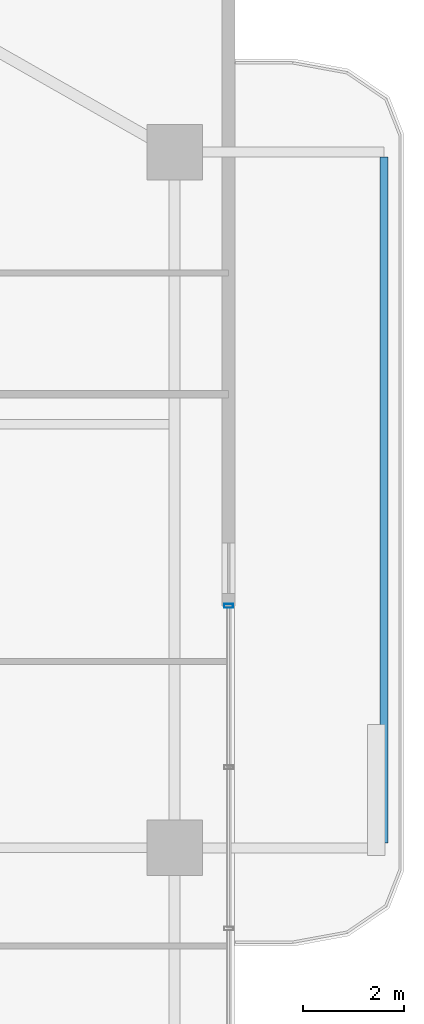
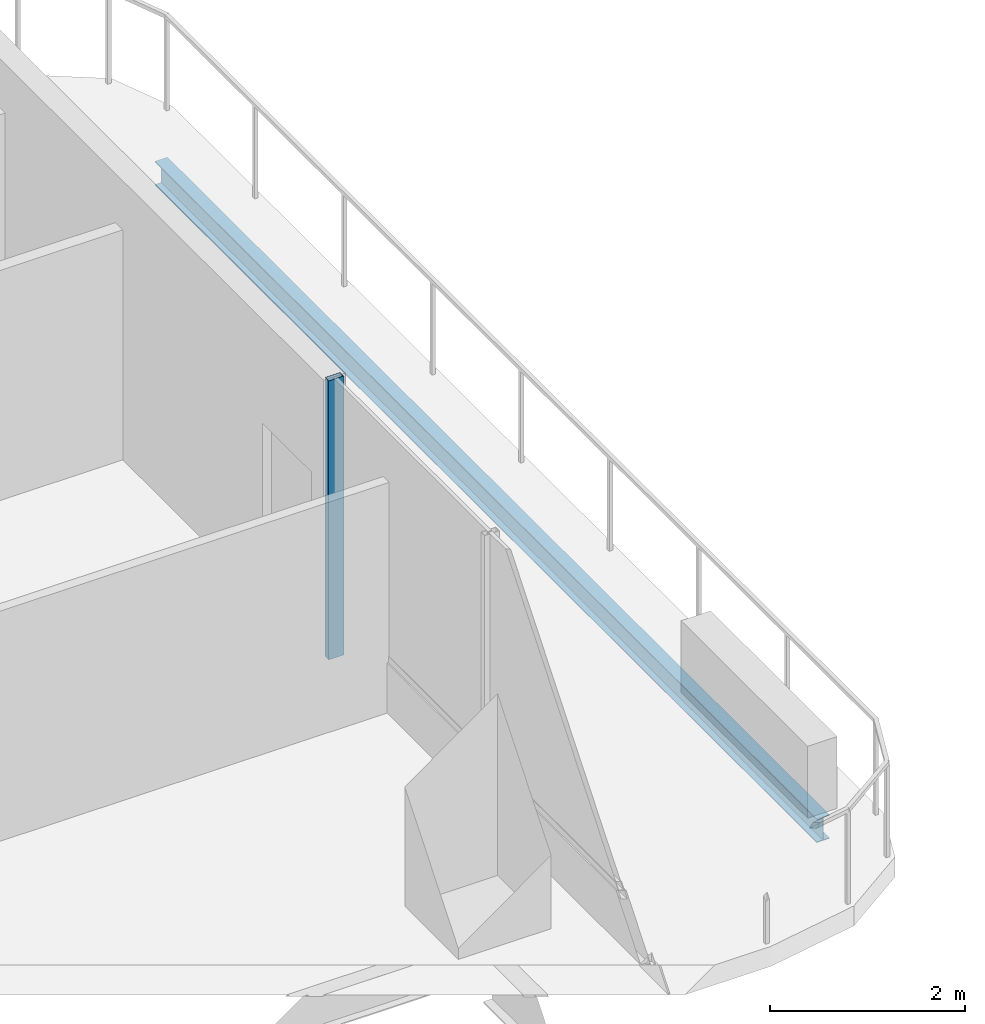
# One storey, part 13 of 24: 1 beam, 1 member, 1 element without a shape of its own.
"""IFC4 building model written with IfcOpenShell, lengths in metres."""

from ifc_helpers import new_model, si_unit, direction, frame, origin, origin_2d, place, context, subcontext, project, spatial, hollow_rectangle, i_section, extrude, material, layer, layer_set, material_profile, profile_set, type_object, element, aggregate, save


model = new_model("IFC4")

# Units and contexts
model_context = context("Model", 3, precision=1e-05, world=origin(), true_north=direction((0.0, 1.0)))
body_context = subcontext(model_context, "Body", "Model", "MODEL_VIEW")
ifc_project = project(units=[si_unit("LENGTHUNIT", "METRE"), si_unit("AREAUNIT", "SQUARE_METRE"), si_unit("VOLUMEUNIT", "CUBIC_METRE"), si_unit("PLANEANGLEUNIT", "RADIAN"), si_unit("MASSUNIT", "GRAM", prefix="KILO")], contexts=[model_context])

# Site, building, storey
site_placement = place(None, origin())
site = spatial("IfcSite", under=ifc_project, at=site_placement, CompositionType="ELEMENT")
building_placement = place(site_placement, origin())
building = spatial("IfcBuilding", under=site, at=building_placement, Name="Belovzor Exchange Tower", CompositionType="ELEMENT")
storey_placement = place(building_placement, frame((0.0, 0.0, 222.449951171875)))
storey = spatial("IfcBuildingStorey", under=building, at=storey_placement, Name="L55", CompositionType="ELEMENT", Elevation=222.449951171875)

# Beam
ifc_material_1 = material(Name="Steel S355", Category="steel")
ifc_material_profile_1 = material_profile(ifc_material_1, i_section(OverallWidth=0.14990234375, OverallDepth=0.300048828125, WebThickness=0.007080078125, FlangeThickness=0.0107421875, at=origin_2d()))
ifc_profile_set_1 = profile_set([ifc_material_profile_1], Name="Steel S355")
beam_type = type_object("IfcBeamType", Name="Planted Balcony Fascia Edge Beam IPE 300", PredefinedType="BEAM", material=ifc_profile_set_1)
beam_placement = place(storey_placement, frame((58.7529296875, 28.89990234375, -0.39990234375), z_axis=(0.0, 1.0, 0.0), x_axis=(-1.0, 0.0, 0.0)))
element("IfcBeam", 1, at=beam_placement, inside=storey, type_object=beam_type, Name="BC-300 Planted Balcony Fascia Edge Beam IPE 300", PredefinedType="BEAM", context=body_context, shape_type="SweptSolid", body=[
    extrude(i_section(OverallWidth=0.14990234375, OverallDepth=0.300048828125, WebThickness=0.007080078125, FlangeThickness=0.0107421875, at=origin_2d()), origin(), (0.0, 0.0, 1.0), 13.60009765625),
])

# Curtain wall, member
ifc_material_2 = material(Name="Anodised Aluminium Framing", Category="aluminium")
ifc_layer = layer(ifc_material_2, 0.179931640625)
ifc_layer_set = layer_set([ifc_layer], Name="Anodised Aluminium Framing")
curtain_wall_type = type_object("IfcCurtainWallType", Name="Recessed Loggia Low-Iron Triple-Glazed Curtain Wall", PredefinedType="NOTDEFINED", material=ifc_layer_set)
curtain_wall_placement = place(storey_placement, origin())
curtain_wall = element("IfcCurtainWall", 2, at=curtain_wall_placement, inside=storey, type_object=curtain_wall_type, Name="CW3 Recessed Loggia Low-Iron Triple-Glazed Curtain Wall L55", PredefinedType="NOTDEFINED")
ifc_material_3 = material(Name="Steel S355", Category="steel")
ifc_material_profile_2 = material_profile(ifc_material_3, hollow_rectangle(XDim=0.074951171875, YDim=0.179931640625, WallThickness=0.0048828125, at=origin_2d()))
ifc_profile_set_2 = profile_set([ifc_material_profile_2], Name="Steel S355")
member_type = type_object("IfcMemberType", Name="Thermally Broken Curtain Wall Mullion 180x75", PredefinedType="MULLION", material=ifc_profile_set_2)
member_placement = place(storey_placement, frame((55.669921875, 33.60009765625, 0.0), z_axis=(0.0, 0.0, 1.0), x_axis=(0.0, -1.0, 0.0)))
member = element("IfcMember", 3, at=member_placement, type_object=member_type, Name="CW-M180 Curtain Wall Mullion 1", PredefinedType="MULLION", context=body_context, shape_type="SweptSolid", body=[
    extrude(hollow_rectangle(XDim=0.074951171875, YDim=0.179931640625, WallThickness=0.0048828125, at=origin_2d()), origin(), (0.0, 0.0, 1.0), 3.5),
])
aggregate(curtain_wall, [member])

save(model, "model.ifc")
